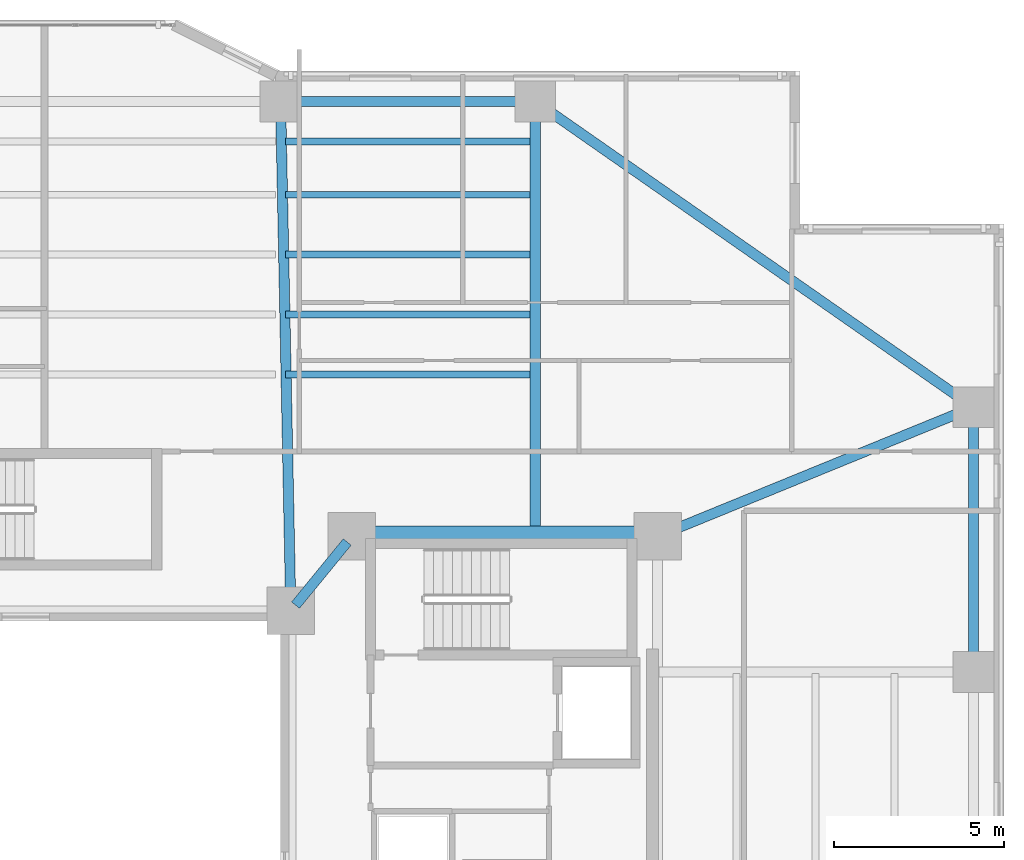
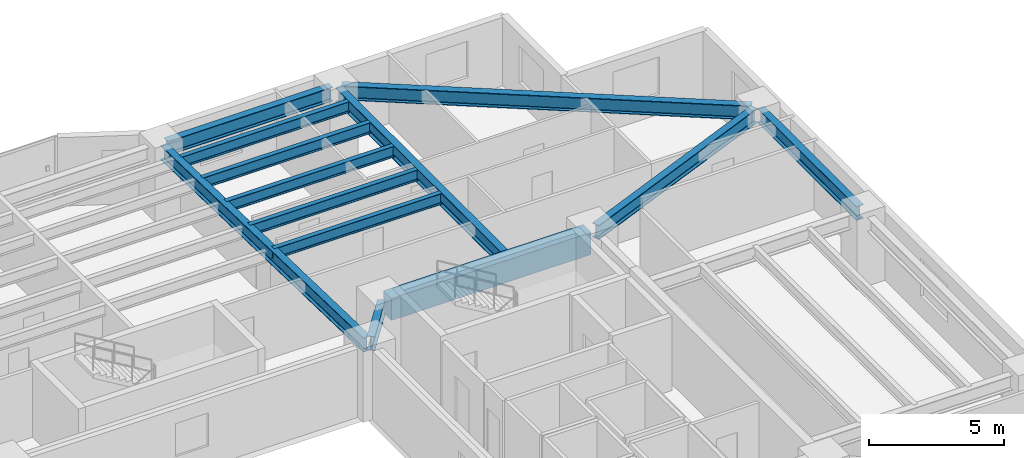
# One storey, part 7 of 20: 13 beams.
"""IFC4 building model written with IfcOpenShell, lengths in metres."""

import ifcopenshell
import ifcopenshell.guid

model = None  # the IFC model being written
_history = None  # IfcOwnerHistory: only IFC2X3 demands one
_inside = {}  # id of a spatial element -> (the spatial element, [elements in it])
_under = {}  # id of a project, library or spatial element -> (it, [spatial elements below it])
_declared = {}  # id of a project -> (the project, [libraries it declares])
_typed = {}  # id of a type object -> (the type object, [elements of that type])
_made_of = {}  # id of a material, layer set ... -> (it, [elements and type objects made of it])


def new_model(schema):
    """Start an empty IFC model of exactly this schema.

    Asked for "IFC4X3", IfcOpenShell would pick the latest addendum, in which some entities
    have other attributes; the version numbers below select the first issue.
    IFC2X3 requires an IfcOwnerHistory on every rooted entity: one is made here for all.
    """
    global model, _history
    if schema == "IFC4X3":
        model = ifcopenshell.file(schema_version=(4, 3, 0, 0))
    else:
        model = ifcopenshell.file(schema=schema)
    _inside.clear()
    _under.clear()
    _declared.clear()
    _typed.clear()
    _made_of.clear()
    _history = None
    if model.schema == "IFC2X3":
        org = make("IfcOrganization", Name="unknown")
        user = make(
            "IfcPersonAndOrganization",
            ThePerson=make("IfcPerson", FamilyName="unknown"),
            TheOrganization=org,
        )
        app = make(
            "IfcApplication",
            ApplicationDeveloper=org,
            Version="unknown",
            ApplicationFullName="unknown",
            ApplicationIdentifier="unknown",
        )
        _history = make(
            "IfcOwnerHistory",
            OwningUser=user,
            OwningApplication=app,
            ChangeAction="ADDED",
            CreationDate=0,
        )
    return model


def make(cls, **values):
    """One entity of the class cls with the attributes given. An attribute that is None is left unset."""
    return model.create_entity(
        cls, **{name: value for name, value in values.items() if value is not None}
    )


def rooted(cls, **values):
    """An entity with a GlobalId (a new one), such as an element, a storey or a relation."""
    return make(cls, GlobalId=ifcopenshell.guid.new(), OwnerHistory=_history, **values)


def si_unit(unit_type, name, prefix=None):
    """IfcSIUnit, for example si_unit("LENGTHUNIT", "METRE", prefix="MILLI")."""
    return make("IfcSIUnit", UnitType=unit_type, Prefix=prefix, Name=name)


def assignment(units):
    """IfcUnitAssignment: the units of a project."""
    return None if units is None else make("IfcUnitAssignment", Units=units)


def point(xyz):
    """IfcCartesianPoint."""
    return None if xyz is None else make("IfcCartesianPoint", Coordinates=xyz)


def direction(xyz):
    """IfcDirection."""
    return None if xyz is None else make("IfcDirection", DirectionRatios=xyz)


def frame(location, z_axis=None, x_axis=None):
    """IfcAxis2Placement3D, a coordinate frame: its origin and axes. An axis left out is left unset."""
    return make(
        "IfcAxis2Placement3D",
        Location=point(location),
        Axis=direction(z_axis),
        RefDirection=direction(x_axis),
    )


def frame_2d(location, x_axis=None):
    """IfcAxis2Placement2D, a coordinate frame in the plane: its origin and x axis."""
    return make(
        "IfcAxis2Placement2D", Location=point(location), RefDirection=direction(x_axis)
    )


def origin():
    """The frame at (0, 0, 0) with its axes left unset."""
    return frame((0.0, 0.0, 0.0))


def origin_2d():
    """The frame at (0, 0) in the plane with its x axis left unset."""
    return frame_2d((0.0, 0.0))


def place(relative_to, where):
    """IfcLocalPlacement: puts the frame where relative to a parent placement (None: the world)."""
    return make(
        "IfcLocalPlacement", PlacementRelTo=relative_to, RelativePlacement=where
    )


def context(
    kind, dimensions, precision=None, world=None, true_north=None, identifier=None
):
    """IfcGeometricRepresentationContext, for example the 3D "Model" context."""
    return make(
        "IfcGeometricRepresentationContext",
        ContextIdentifier=identifier,
        ContextType=kind,
        CoordinateSpaceDimension=dimensions,
        Precision=precision,
        WorldCoordinateSystem=world,
        TrueNorth=true_north,
    )


def subcontext(parent, identifier, kind, view, scale=None):
    """IfcGeometricRepresentationSubContext, for example "Body" below "Model"."""
    return make(
        "IfcGeometricRepresentationSubContext",
        ContextIdentifier=identifier,
        ContextType=kind,
        ParentContext=parent,
        TargetScale=scale,
        TargetView=view,
    )


def project(units=None, contexts=None):
    """IfcProject with its units and contexts."""
    return rooted(
        "IfcProject",
        Name="project",
        RepresentationContexts=contexts,
        UnitsInContext=assignment(units),
    )


def spatial(cls, under=None, at=None, **own):
    """A site, building, storey or space (cls), placed at a placement, below another one or the project."""
    s = rooted(cls, ObjectPlacement=at, **own)
    if under is not None:
        _under.setdefault(under.id(), (under, []))[1].append(s)
    return s


def profile(cls, at=None, kind="AREA", **sizes):
    """A parametric profile (cls). Its sizes go by their IFC names, for example OverallWidth=200.0."""
    return make(cls, ProfileType=kind, Position=at, **sizes)


def rectangle(**sizes):
    """IfcRectangleProfileDef."""
    return profile("IfcRectangleProfileDef", **sizes)


def i_section(**sizes):
    """IfcIShapeProfileDef."""
    return profile("IfcIShapeProfileDef", **sizes)


def extrude(swept, where, along, depth):
    """IfcExtrudedAreaSolid: the profile swept, set in the frame where, extruded along a direction by depth."""
    return make(
        "IfcExtrudedAreaSolid",
        SweptArea=swept,
        Position=where,
        ExtrudedDirection=direction(along),
        Depth=depth,
    )


def shape(context_of_items, identifier, shape_type, items):
    """IfcShapeRepresentation: the items that make up one representation, for example the "Body"."""
    return make(
        "IfcShapeRepresentation",
        ContextOfItems=context_of_items,
        RepresentationIdentifier=identifier,
        RepresentationType=shape_type,
        Items=items,
    )


def material(Name=None, Category=None):
    """IfcMaterial."""
    return make("IfcMaterial", Name=Name, Category=Category)


def material_profile(
    of_material, cross_section, Name=None, Category=None, Priority=None
):
    """IfcMaterialProfile: a cross section and its material."""
    return make(
        "IfcMaterialProfile",
        Name=Name,
        Material=of_material,
        Profile=cross_section,
        Priority=Priority,
        Category=Category,
    )


def profile_set(profiles, Name=None, composite=None):
    """IfcMaterialProfileSet."""
    return make(
        "IfcMaterialProfileSet",
        Name=Name,
        MaterialProfiles=profiles,
        CompositeProfile=composite,
    )


def made_of(thing, what):
    """Note that an element or type object is made of a material, layer set ...; save() writes the relation."""
    if what is not None:
        _made_of.setdefault(what.id(), (what, []))[1].append(thing)
    return thing


def type_object(cls, material=None, **own):
    """A type object (cls), such as IfcWallType, which elements share."""
    return made_of(rooted(cls, **own), material)


def element(
    cls,
    number,
    at=None,
    inside=None,
    cuts=None,
    type_object=None,
    material=None,
    context=None,
    identifier="Body",
    shape_type=None,
    held_by="IfcProductDefinitionShape",
    body=None,
    shapes=None,
    **own,
):
    """One element of the class cls, such as IfcWall. Its Tag is "e" and its number.

    at: its placement. inside: the storey or other place that contains it. cuts: it is an
    opening in that element (IfcRelVoidsElement). A single representation is given by context,
    identifier, shape_type and body (its items); several are given by shapes. held_by: the class
    of the entity that holds the representations. save() writes the other relations.
    """
    e = rooted(cls, Tag="e%d" % number, ObjectPlacement=at, **own)
    if body is not None:
        shapes = [shape(context, identifier, shape_type, body)]
    if shapes is not None:
        e.Representation = make(held_by, Representations=shapes)
    if inside is not None:
        _inside.setdefault(inside.id(), (inside, []))[1].append(e)
    if cuts is not None:
        rooted(
            "IfcRelVoidsElement", RelatingBuildingElement=cuts, RelatedOpeningElement=e
        )
    if type_object is not None:
        _typed.setdefault(type_object.id(), (type_object, []))[1].append(e)
    return made_of(e, material)


def aggregate(whole, parts):
    """IfcRelAggregates: a whole, such as a stair, and the parts it consists of."""
    return rooted("IfcRelAggregates", RelatingObject=whole, RelatedObjects=parts)


def save(model, path):
    """Write the relations noted so far, then the file.

    IfcRelAggregates (storeys below a building ...), IfcRelContainedInSpatialStructure (elements
    in a storey), IfcRelDefinesByType, IfcRelAssociatesMaterial and IfcRelDeclares: one each for
    every whole, place, type object, material and project.
    """
    for whole, parts in _under.values():
        aggregate(whole, parts)
    for where, things in _inside.values():
        rooted(
            "IfcRelContainedInSpatialStructure",
            RelatedElements=things,
            RelatingStructure=where,
        )
    for kind, things in _typed.values():
        rooted("IfcRelDefinesByType", RelatedObjects=things, RelatingType=kind)
    for what, things in _made_of.values():
        rooted("IfcRelAssociatesMaterial", RelatedObjects=things, RelatingMaterial=what)
    for by, libraries in _declared.values():
        rooted("IfcRelDeclares", RelatingContext=by, RelatedDefinitions=libraries)
    model.write(path)


model = new_model("IFC4")

# Units and contexts
model_context = context("Model", 3, precision=1e-05, world=origin(), true_north=direction((0.0, 1.0)))
body_context = subcontext(model_context, "Body", "Model", "MODEL_VIEW")
ifc_project = project(units=[si_unit("LENGTHUNIT", "METRE"), si_unit("AREAUNIT", "SQUARE_METRE"), si_unit("VOLUMEUNIT", "CUBIC_METRE"), si_unit("PLANEANGLEUNIT", "RADIAN"), si_unit("MASSUNIT", "GRAM", prefix="KILO")], contexts=[model_context])

# Site, building, storey
site_placement = place(None, origin())
site = spatial("IfcSite", under=ifc_project, at=site_placement, CompositionType="ELEMENT")
building_placement = place(site_placement, origin())
building = spatial("IfcBuilding", under=site, at=building_placement, Name="Tarnavaz Court Tower", CompositionType="ELEMENT")
storey_placement = place(building_placement, frame((0.0, 0.0, 30.699951171875)))
storey = spatial("IfcBuildingStorey", under=building, at=storey_placement, Name="L07", CompositionType="ELEMENT", Elevation=30.699951171875)

# Beams
ifc_material_1 = material(Name="Concrete C60/75", Category="concrete")
ifc_material_profile_1 = material_profile(ifc_material_1, rectangle(XDim=0.60009765625, YDim=1.0, at=origin_2d()), Name="RC 600X1000")
ifc_profile_set_1 = profile_set([ifc_material_profile_1], Name="Concrete C60/75")
beam_type_1 = type_object("IfcBeamType", Name="BM-CB1000", PredefinedType="LINTEL", material=ifc_profile_set_1)
beam_1_placement = place(storey_placement, frame((18.3798828125, 10.0, 2.60009765625), z_axis=(-1.0, 0.0, 0.0), x_axis=(0.0, -1.0, 0.0)))
element("IfcBeam", 1, at=beam_1_placement, inside=storey, type_object=beam_type_1, Name="L07 Beam IN-CE-NO-CE-NI", PredefinedType="LINTEL", context=body_context, shape_type="SweptSolid", body=[
    extrude(rectangle(XDim=0.60009765625, YDim=1.0, at=origin_2d()), origin(), (0.0, 0.0, 1.0), 8.559814453125),
])
ifc_material_2 = material(Name="Steel S355", Category="steel")
ifc_material_profile_2 = material_profile(ifc_material_2, i_section(OverallWidth=0.300048828125, OverallDepth=0.64990234375, WebThickness=0.01611328125, FlangeThickness=0.031005859375, FilletRadius=0.027099609375, at=origin_2d()), Name="HEB 650")
ifc_profile_set_2 = profile_set([ifc_material_profile_2], Name="Steel S355")
beam_type_2 = type_object("IfcBeamType", Name="BM-G-HEB650", PredefinedType="USERDEFINED", material=ifc_profile_set_2)
beam_2_placement = place(storey_placement, frame((9.460693359375, 9.82958984375, 2.775146484375), z_axis=(-0.633282058357, -0.773921077735, 0.0), x_axis=(0.773921077735, -0.633282058357, 0.0)))
element("IfcBeam", 2, at=beam_2_placement, inside=storey, type_object=beam_type_2, Name="L07 Beam IN-CE-NI-IW-NE", ObjectType="GIRDER", PredefinedType="USERDEFINED", context=body_context, shape_type="SweptSolid", body=[
    extrude(i_section(OverallWidth=0.300048828125, OverallDepth=0.64990234375, WebThickness=0.01611328125, FlangeThickness=0.031005859375, FilletRadius=0.027099609375, at=origin_2d()), origin(), (0.0, 0.0, 1.0), 2.402587890625),
])
beam_3_placement = place(storey_placement, frame((7.795654296875, 8.02001953125, 2.775146484375), z_axis=(-0.020000023066, 0.999799979535, 0.0), x_axis=(-0.999799979535, -0.020000023066, 0.0)))
element("IfcBeam", 3, at=beam_3_placement, inside=storey, type_object=beam_type_2, Name="L07 Beam RG-03", ObjectType="GIRDER", PredefinedType="USERDEFINED", context=body_context, shape_type="SweptSolid", body=[
    extrude(i_section(OverallWidth=0.300048828125, OverallDepth=0.64990234375, WebThickness=0.01611328125, FlangeThickness=0.031005859375, FilletRadius=0.027099609375, at=origin_2d()), origin(), (0.0, 0.0, 1.0), 14.56298828125),
])
beam_4_placement = place(storey_placement, frame((15.0, 10.0400390625, 2.775146484375), z_axis=(0.0, 1.0, 0.0), x_axis=(-1.0, 0.0, 0.0)))
element("IfcBeam", 4, at=beam_4_placement, inside=storey, type_object=beam_type_2, Name="L07 Beam RG-04", ObjectType="GIRDER", PredefinedType="USERDEFINED", context=body_context, shape_type="SweptSolid", body=[
    extrude(i_section(OverallWidth=0.300048828125, OverallDepth=0.64990234375, WebThickness=0.01611328125, FlangeThickness=0.031005859375, FilletRadius=0.027099609375, at=origin_2d()), origin(), (0.0, 0.0, 1.0), 12.5400390625),
])
beam_5_placement = place(storey_placement, frame((18.8037109375, 10.083251953125, 2.775146484375), z_axis=(0.925704761705, 0.378246869329, 0.0), x_axis=(-0.378246869329, 0.925704761705, 0.0)))
element("IfcBeam", 5, at=beam_5_placement, inside=storey, type_object=beam_type_2, Name="L07 Beam RG-12", ObjectType="GIRDER", PredefinedType="USERDEFINED", context=body_context, shape_type="SweptSolid", body=[
    extrude(i_section(OverallWidth=0.300048828125, OverallDepth=0.64990234375, WebThickness=0.01611328125, FlangeThickness=0.031005859375, FilletRadius=0.027099609375, at=origin_2d()), origin(), (0.0, 0.0, 1.0), 9.606201171875),
])
ifc_material_profile_3 = material_profile(ifc_material_2, i_section(OverallWidth=0.199951171875, OverallDepth=0.5, WebThickness=0.01025390625, FlangeThickness=0.01611328125, FilletRadius=0.02099609375, at=origin_2d()), Name="IPE 500")
ifc_profile_set_3 = profile_set([ifc_material_profile_3], Name="Steel S355")
beam_type_3 = type_object("IfcBeamType", Name="BM-J-IPE500", PredefinedType="JOIST", material=ifc_profile_set_3)
for number, where, z_axis, x_axis, name in (
    (6, (7.64990234375, 14.763916015625, 2.85009765625), (1.0, 0.0, 0.0), (0.0, 1.0, 0.0), "L07 Beam JN1-3"),
    (7, (7.64990234375, 16.528076171875, 2.85009765625), (1.0, 0.0, 0.0), (0.0, 1.0, 0.0), "L07 Beam JN2-3"),
    (8, (7.64990234375, 18.2919921875, 2.85009765625), (1.0, 0.0, 0.0), (0.0, 1.0, 0.0), "L07 Beam JN3-3"),
    (9, (7.64990234375, 20.055908203125, 2.85009765625), (1.0, 0.0, 0.0), (0.0, 1.0, 0.0), "L07 Beam JN4-3"),
    (10, (7.64990234375, 21.6240234375, 2.85009765625), (1.0, 0.0, 0.0), (0.0, 1.0, 0.0), "L07 Beam JN5-3"),
):
    element("IfcBeam", number, at=place(storey_placement, frame(where, z_axis=z_axis, x_axis=x_axis)), inside=storey, type_object=beam_type_3, Name=name, PredefinedType="JOIST", context=body_context, shape_type="SweptSolid", body=[
        extrude(i_section(OverallWidth=0.199951171875, OverallDepth=0.5, WebThickness=0.01025390625, FlangeThickness=0.01611328125, FilletRadius=0.02099609375, at=origin_2d()), origin(), (0.0, 0.0, 1.0), 7.2001953125),
    ])
ifc_material_profile_4 = material_profile(ifc_material_2, i_section(OverallWidth=0.300048828125, OverallDepth=0.639892578125, WebThickness=0.013427734375, FlangeThickness=0.02587890625, FilletRadius=0.027099609375, at=origin_2d()), Name="HEA 650")
ifc_profile_set_4 = profile_set([ifc_material_profile_4], Name="Steel S355")
beam_type_4 = type_object("IfcBeamType", Name="BM-SP-HEA650", PredefinedType="SPANDREL", material=ifc_profile_set_4)
beam_6_placement = place(storey_placement, frame((7.719970703125, 22.800048828125, 2.780029296875), z_axis=(1.0, 0.0, 0.0), x_axis=(0.0, 1.0, 0.0)))
element("IfcBeam", 11, at=beam_6_placement, inside=storey, type_object=beam_type_4, Name="L07 Beam PR-PN-3-PN-4", PredefinedType="SPANDREL", context=body_context, shape_type="SweptSolid", body=[
    extrude(i_section(OverallWidth=0.300048828125, OverallDepth=0.639892578125, WebThickness=0.013427734375, FlangeThickness=0.02587890625, FilletRadius=0.027099609375, at=origin_2d()), origin(), (0.0, 0.0, 1.0), 7.06005859375),
])
beam_7_placement = place(storey_placement, frame((27.89990234375, 6.219970703125, 2.780029296875), z_axis=(0.0, 1.0, 0.0), x_axis=(-1.0, 0.0, 0.0)))
element("IfcBeam", 12, at=beam_7_placement, inside=storey, type_object=beam_type_4, Name="L07 Beam PR-PE-3-PE-4", PredefinedType="SPANDREL", context=body_context, shape_type="SweptSolid", body=[
    extrude(i_section(OverallWidth=0.300048828125, OverallDepth=0.639892578125, WebThickness=0.013427734375, FlangeThickness=0.02587890625, FilletRadius=0.027099609375, at=origin_2d()), origin(), (0.0, 0.0, 1.0), 7.360107421875),
])
beam_8_placement = place(storey_placement, frame((15.180419921875, 22.674072265625, 2.780029296875), z_axis=(0.820123643324, -0.572186341729, 0.0), x_axis=(0.572186341729, 0.820123643324, 0.0)))
element("IfcBeam", 13, at=beam_8_placement, inside=storey, type_object=beam_type_4, Name="L07 Beam PR-PN-4-PE-4", PredefinedType="SPANDREL", context=body_context, shape_type="SweptSolid", body=[
    extrude(i_section(OverallWidth=0.300048828125, OverallDepth=0.639892578125, WebThickness=0.013427734375, FlangeThickness=0.02587890625, FilletRadius=0.027099609375, at=origin_2d()), origin(), (0.0, 0.0, 1.0), 15.289306640625),
])

save(model, "model.ifc")
